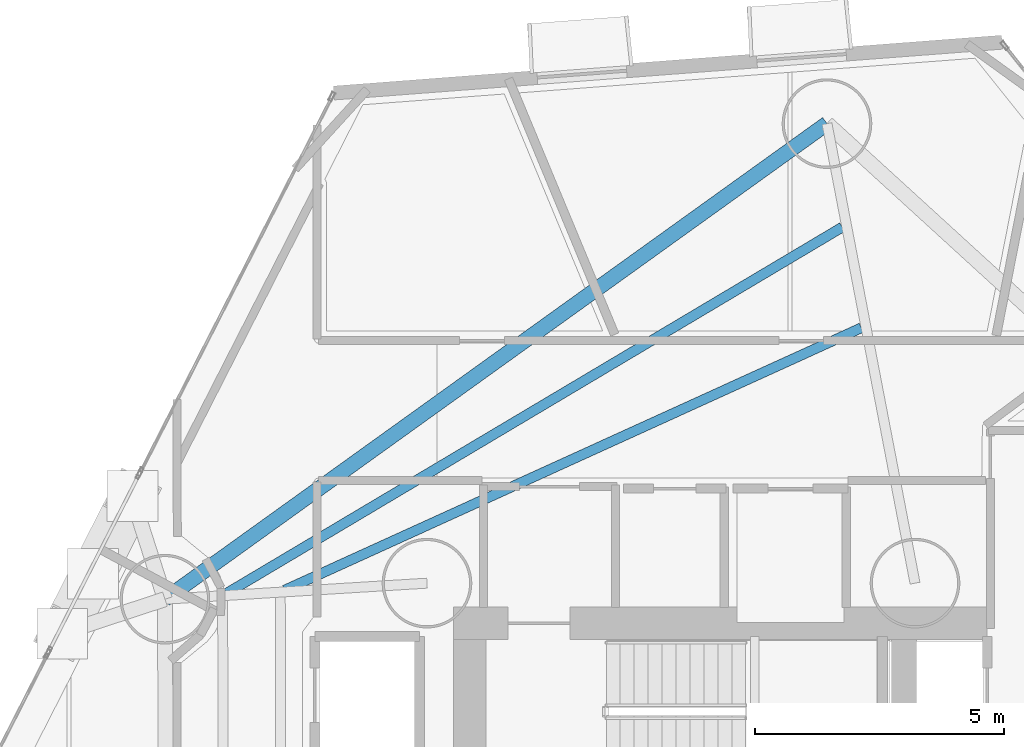
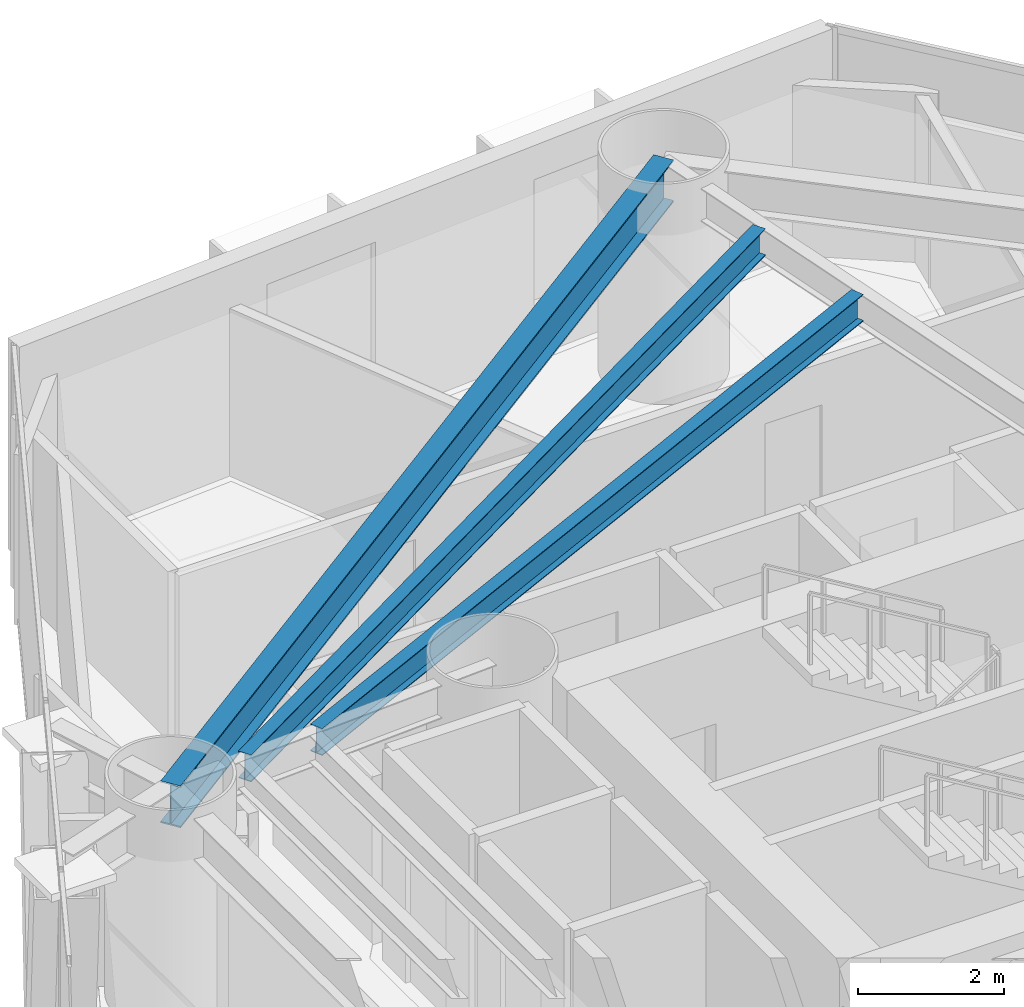
# One storey, part 8 of 23: 3 beams.
"""IFC4 building model written with IfcOpenShell, lengths in metres."""

import ifcopenshell
import ifcopenshell.guid

model = None  # the IFC model being written
_history = None  # IfcOwnerHistory: only IFC2X3 demands one
_inside = {}  # id of a spatial element -> (the spatial element, [elements in it])
_under = {}  # id of a project, library or spatial element -> (it, [spatial elements below it])
_declared = {}  # id of a project -> (the project, [libraries it declares])
_typed = {}  # id of a type object -> (the type object, [elements of that type])
_made_of = {}  # id of a material, layer set ... -> (it, [elements and type objects made of it])


def new_model(schema):
    """Start an empty IFC model of exactly this schema.

    Asked for "IFC4X3", IfcOpenShell would pick the latest addendum, in which some entities
    have other attributes; the version numbers below select the first issue.
    IFC2X3 requires an IfcOwnerHistory on every rooted entity: one is made here for all.
    """
    global model, _history
    if schema == "IFC4X3":
        model = ifcopenshell.file(schema_version=(4, 3, 0, 0))
    else:
        model = ifcopenshell.file(schema=schema)
    _inside.clear()
    _under.clear()
    _declared.clear()
    _typed.clear()
    _made_of.clear()
    _history = None
    if model.schema == "IFC2X3":
        org = make("IfcOrganization", Name="unknown")
        user = make(
            "IfcPersonAndOrganization",
            ThePerson=make("IfcPerson", FamilyName="unknown"),
            TheOrganization=org,
        )
        app = make(
            "IfcApplication",
            ApplicationDeveloper=org,
            Version="unknown",
            ApplicationFullName="unknown",
            ApplicationIdentifier="unknown",
        )
        _history = make(
            "IfcOwnerHistory",
            OwningUser=user,
            OwningApplication=app,
            ChangeAction="ADDED",
            CreationDate=0,
        )
    return model


def make(cls, **values):
    """One entity of the class cls with the attributes given. An attribute that is None is left unset."""
    return model.create_entity(
        cls, **{name: value for name, value in values.items() if value is not None}
    )


def rooted(cls, **values):
    """An entity with a GlobalId (a new one), such as an element, a storey or a relation."""
    return make(cls, GlobalId=ifcopenshell.guid.new(), OwnerHistory=_history, **values)


def si_unit(unit_type, name, prefix=None):
    """IfcSIUnit, for example si_unit("LENGTHUNIT", "METRE", prefix="MILLI")."""
    return make("IfcSIUnit", UnitType=unit_type, Prefix=prefix, Name=name)


def assignment(units):
    """IfcUnitAssignment: the units of a project."""
    return None if units is None else make("IfcUnitAssignment", Units=units)


def point(xyz):
    """IfcCartesianPoint."""
    return None if xyz is None else make("IfcCartesianPoint", Coordinates=xyz)


def direction(xyz):
    """IfcDirection."""
    return None if xyz is None else make("IfcDirection", DirectionRatios=xyz)


def frame(location, z_axis=None, x_axis=None):
    """IfcAxis2Placement3D, a coordinate frame: its origin and axes. An axis left out is left unset."""
    return make(
        "IfcAxis2Placement3D",
        Location=point(location),
        Axis=direction(z_axis),
        RefDirection=direction(x_axis),
    )


def frame_2d(location, x_axis=None):
    """IfcAxis2Placement2D, a coordinate frame in the plane: its origin and x axis."""
    return make(
        "IfcAxis2Placement2D", Location=point(location), RefDirection=direction(x_axis)
    )


def origin():
    """The frame at (0, 0, 0) with its axes left unset."""
    return frame((0.0, 0.0, 0.0))


def origin_2d():
    """The frame at (0, 0) in the plane with its x axis left unset."""
    return frame_2d((0.0, 0.0))


def place(relative_to, where):
    """IfcLocalPlacement: puts the frame where relative to a parent placement (None: the world)."""
    return make(
        "IfcLocalPlacement", PlacementRelTo=relative_to, RelativePlacement=where
    )


def context(
    kind, dimensions, precision=None, world=None, true_north=None, identifier=None
):
    """IfcGeometricRepresentationContext, for example the 3D "Model" context."""
    return make(
        "IfcGeometricRepresentationContext",
        ContextIdentifier=identifier,
        ContextType=kind,
        CoordinateSpaceDimension=dimensions,
        Precision=precision,
        WorldCoordinateSystem=world,
        TrueNorth=true_north,
    )


def subcontext(parent, identifier, kind, view, scale=None):
    """IfcGeometricRepresentationSubContext, for example "Body" below "Model"."""
    return make(
        "IfcGeometricRepresentationSubContext",
        ContextIdentifier=identifier,
        ContextType=kind,
        ParentContext=parent,
        TargetScale=scale,
        TargetView=view,
    )


def project(units=None, contexts=None):
    """IfcProject with its units and contexts."""
    return rooted(
        "IfcProject",
        Name="project",
        RepresentationContexts=contexts,
        UnitsInContext=assignment(units),
    )


def spatial(cls, under=None, at=None, **own):
    """A site, building, storey or space (cls), placed at a placement, below another one or the project."""
    s = rooted(cls, ObjectPlacement=at, **own)
    if under is not None:
        _under.setdefault(under.id(), (under, []))[1].append(s)
    return s


def profile(cls, at=None, kind="AREA", **sizes):
    """A parametric profile (cls). Its sizes go by their IFC names, for example OverallWidth=200.0."""
    return make(cls, ProfileType=kind, Position=at, **sizes)


def i_section(**sizes):
    """IfcIShapeProfileDef."""
    return profile("IfcIShapeProfileDef", **sizes)


def extrude(swept, where, along, depth):
    """IfcExtrudedAreaSolid: the profile swept, set in the frame where, extruded along a direction by depth."""
    return make(
        "IfcExtrudedAreaSolid",
        SweptArea=swept,
        Position=where,
        ExtrudedDirection=direction(along),
        Depth=depth,
    )


def shape(context_of_items, identifier, shape_type, items):
    """IfcShapeRepresentation: the items that make up one representation, for example the "Body"."""
    return make(
        "IfcShapeRepresentation",
        ContextOfItems=context_of_items,
        RepresentationIdentifier=identifier,
        RepresentationType=shape_type,
        Items=items,
    )


def material(Name=None, Category=None):
    """IfcMaterial."""
    return make("IfcMaterial", Name=Name, Category=Category)


def material_profile(
    of_material, cross_section, Name=None, Category=None, Priority=None
):
    """IfcMaterialProfile: a cross section and its material."""
    return make(
        "IfcMaterialProfile",
        Name=Name,
        Material=of_material,
        Profile=cross_section,
        Priority=Priority,
        Category=Category,
    )


def profile_set(profiles, Name=None, composite=None):
    """IfcMaterialProfileSet."""
    return make(
        "IfcMaterialProfileSet",
        Name=Name,
        MaterialProfiles=profiles,
        CompositeProfile=composite,
    )


def made_of(thing, what):
    """Note that an element or type object is made of a material, layer set ...; save() writes the relation."""
    if what is not None:
        _made_of.setdefault(what.id(), (what, []))[1].append(thing)
    return thing


def type_object(cls, material=None, **own):
    """A type object (cls), such as IfcWallType, which elements share."""
    return made_of(rooted(cls, **own), material)


def element(
    cls,
    number,
    at=None,
    inside=None,
    cuts=None,
    type_object=None,
    material=None,
    context=None,
    identifier="Body",
    shape_type=None,
    held_by="IfcProductDefinitionShape",
    body=None,
    shapes=None,
    **own,
):
    """One element of the class cls, such as IfcWall. Its Tag is "e" and its number.

    at: its placement. inside: the storey or other place that contains it. cuts: it is an
    opening in that element (IfcRelVoidsElement). A single representation is given by context,
    identifier, shape_type and body (its items); several are given by shapes. held_by: the class
    of the entity that holds the representations. save() writes the other relations.
    """
    e = rooted(cls, Tag="e%d" % number, ObjectPlacement=at, **own)
    if body is not None:
        shapes = [shape(context, identifier, shape_type, body)]
    if shapes is not None:
        e.Representation = make(held_by, Representations=shapes)
    if inside is not None:
        _inside.setdefault(inside.id(), (inside, []))[1].append(e)
    if cuts is not None:
        rooted(
            "IfcRelVoidsElement", RelatingBuildingElement=cuts, RelatedOpeningElement=e
        )
    if type_object is not None:
        _typed.setdefault(type_object.id(), (type_object, []))[1].append(e)
    return made_of(e, material)


def aggregate(whole, parts):
    """IfcRelAggregates: a whole, such as a stair, and the parts it consists of."""
    return rooted("IfcRelAggregates", RelatingObject=whole, RelatedObjects=parts)


def save(model, path):
    """Write the relations noted so far, then the file.

    IfcRelAggregates (storeys below a building ...), IfcRelContainedInSpatialStructure (elements
    in a storey), IfcRelDefinesByType, IfcRelAssociatesMaterial and IfcRelDeclares: one each for
    every whole, place, type object, material and project.
    """
    for whole, parts in _under.values():
        aggregate(whole, parts)
    for where, things in _inside.values():
        rooted(
            "IfcRelContainedInSpatialStructure",
            RelatedElements=things,
            RelatingStructure=where,
        )
    for kind, things in _typed.values():
        rooted("IfcRelDefinesByType", RelatedObjects=things, RelatingType=kind)
    for what, things in _made_of.values():
        rooted("IfcRelAssociatesMaterial", RelatedObjects=things, RelatingMaterial=what)
    for by, libraries in _declared.values():
        rooted("IfcRelDeclares", RelatingContext=by, RelatedDefinitions=libraries)
    model.write(path)


model = new_model("IFC4")

# Units and contexts
model_context = context("Model", 3, precision=1e-05, world=origin(), true_north=direction((0.0, 1.0)))
body_context = subcontext(model_context, "Body", "Model", "MODEL_VIEW")
ifc_project = project(units=[si_unit("LENGTHUNIT", "METRE"), si_unit("AREAUNIT", "SQUARE_METRE"), si_unit("VOLUMEUNIT", "CUBIC_METRE"), si_unit("PLANEANGLEUNIT", "RADIAN"), si_unit("MASSUNIT", "GRAM", prefix="KILO")], contexts=[model_context])

# Site, building, storey
site_placement = place(None, origin())
site = spatial("IfcSite", under=ifc_project, at=site_placement, CompositionType="ELEMENT")
building_placement = place(site_placement, origin())
building = spatial("IfcBuilding", under=site, at=building_placement, Name="Qianvela Tower", CompositionType="ELEMENT")
storey_placement = place(building_placement, frame((0.0, 0.0, 33.10009765625)))
storey = spatial("IfcBuildingStorey", under=building, at=storey_placement, Name="L07", CompositionType="ELEMENT", Elevation=33.10009765625)

# Beams
ifc_material_1 = material(Name="Steel Q355B", Category="steel")
ifc_material_profile_1 = material_profile(ifc_material_1, i_section(OverallWidth=0.199951171875, OverallDepth=0.449951171875, WebThickness=0.009033203125, FlangeThickness=0.013916015625, at=origin_2d()), Name="HN450x200x9x14")
ifc_profile_set_1 = profile_set([ifc_material_profile_1], Name="Steel Q355B")
beam_type_1 = type_object("IfcBeamType", Name="BM-HN450-JOIST", PredefinedType="JOIST", material=ifc_profile_set_1)
beam_1_placement = place(storey_placement, frame((37.322509765625, 38.677978515625, 3.29296875), z_axis=(-0.910244872328, -0.414070371315, 0.0), x_axis=(0.414070371315, -0.910244872328, 0.0)))
element("IfcBeam", 1, at=beam_1_placement, inside=storey, type_object=beam_type_1, Name="L07 Secondary Composite Floor Joist 3.2", PredefinedType="JOIST", context=body_context, shape_type="SweptSolid", body=[
    extrude(i_section(OverallWidth=0.199951171875, OverallDepth=0.449951171875, WebThickness=0.009033203125, FlangeThickness=0.013916015625, at=origin_2d()), origin(), (0.0, 0.0, 1.0), 12.723876953125),
])
beam_2_placement = place(storey_placement, frame((36.9384765625, 40.69873046875, 3.29296875), z_axis=(-0.859492146952, -0.511148950237, 0.0), x_axis=(0.511148950237, -0.859492146952, 0.0)))
element("IfcBeam", 2, at=beam_2_placement, inside=storey, type_object=beam_type_1, Name="L07 Secondary Composite Floor Joist 3.3", PredefinedType="JOIST", context=body_context, shape_type="SweptSolid", body=[
    extrude(i_section(OverallWidth=0.199951171875, OverallDepth=0.449951171875, WebThickness=0.009033203125, FlangeThickness=0.013916015625, at=origin_2d()), origin(), (0.0, 0.0, 1.0), 14.381103515625),
])
ifc_material_2 = material(Name="Steel Q355B", Category="steel")
ifc_material_profile_2 = material_profile(ifc_material_2, i_section(OverallWidth=0.300048828125, OverallDepth=0.699951171875, WebThickness=0.012939453125, FlangeThickness=0.02392578125, at=origin_2d()), Name="HN700x300x13x24")
ifc_profile_set_2 = profile_set([ifc_material_profile_2], Name="Steel Q355B")
beam_type_2 = type_object("IfcBeamType", Name="BM-HN700-SPAND", PredefinedType="SPANDREL", material=ifc_profile_set_2)
beam_3_placement = place(storey_placement, frame((36.632080078125, 42.778076171875, 3.16796875), z_axis=(-0.812164446449, -0.583428583397, 0.0), x_axis=(0.583428583397, -0.812164446449, 0.0)))
element("IfcBeam", 3, at=beam_3_placement, inside=storey, type_object=beam_type_2, Name="L07 Perimeter Ring Spandrel Girder 3", PredefinedType="SPANDREL", context=body_context, shape_type="SweptSolid", body=[
    extrude(i_section(OverallWidth=0.300048828125, OverallDepth=0.699951171875, WebThickness=0.012939453125, FlangeThickness=0.02392578125, at=origin_2d()), origin(), (0.0, 0.0, 1.0), 16.368896484375),
])

save(model, "model.ifc")
